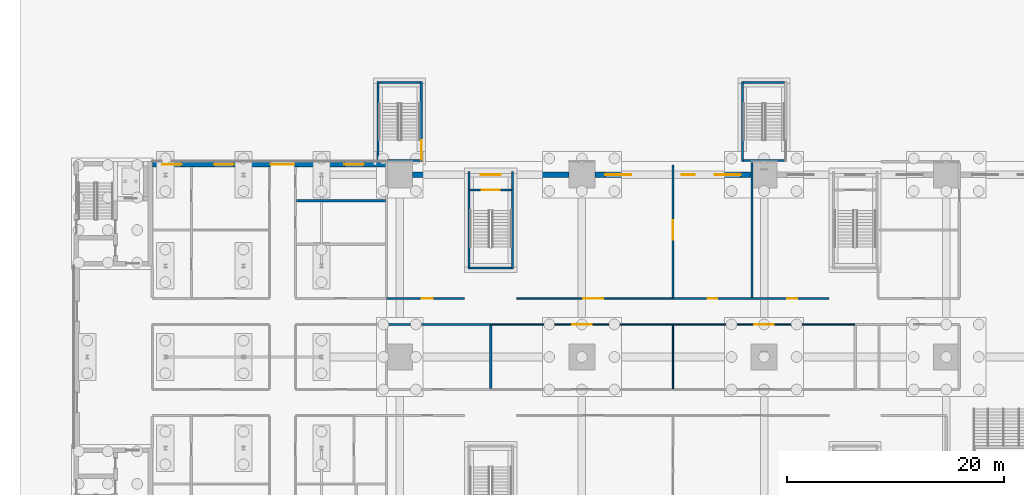
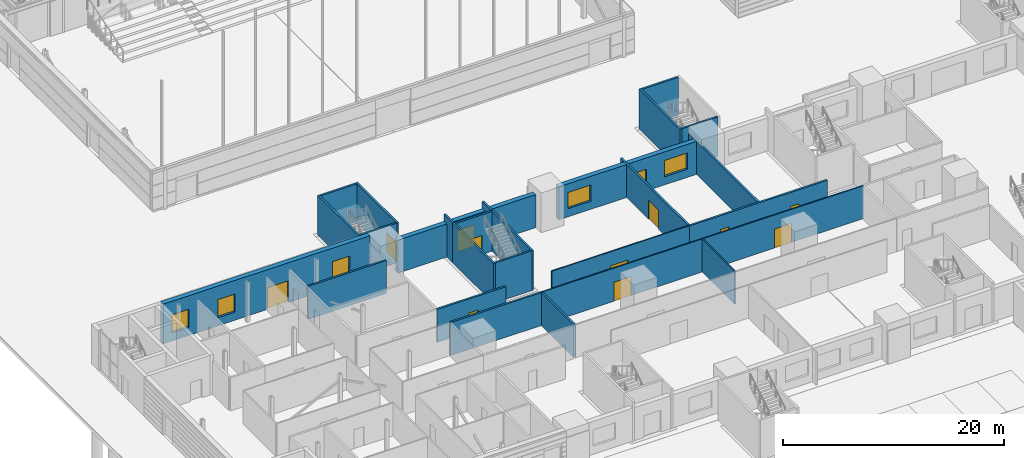
# One storey, part 80 of 139: 26 walls, 12 doors, 5 windows, 17 openings.
"""IFC4 building model written with IfcOpenShell, lengths in metres."""

from ifc_helpers import new_model, si_unit, direction, frame, frame_2d, origin, place, context, subcontext, project, spatial, rectangle, extrude, material, layer, layer_set, type_object, element, fill, save


model = new_model("IFC4")

# Units and contexts
model_context = context("Model", 3, precision=1e-05, world=origin(), true_north=direction((0.0, 1.0)))
body_context = subcontext(model_context, "Body", "Model", "MODEL_VIEW")
ifc_project = project(units=[si_unit("LENGTHUNIT", "METRE"), si_unit("AREAUNIT", "SQUARE_METRE"), si_unit("VOLUMEUNIT", "CUBIC_METRE"), si_unit("PLANEANGLEUNIT", "RADIAN"), si_unit("MASSUNIT", "GRAM", prefix="KILO")], contexts=[model_context])

# Site, building, storey
site_placement = place(None, origin())
site = spatial("IfcSite", under=ifc_project, at=site_placement, CompositionType="ELEMENT")
building_placement = place(site_placement, origin())
building = spatial("IfcBuilding", under=site, at=building_placement, Name="Verrick Yard Athletic Hall", CompositionType="ELEMENT")
storey_placement = place(building_placement, origin())
storey = spatial("IfcBuildingStorey", under=building, at=storey_placement, Name="L00", CompositionType="ELEMENT", Elevation=0.0)

# Walls
ifc_material_1 = material(Name="Concrete 35 MPa", Category="concrete")
ifc_layer_1 = layer(ifc_material_1, 0.199951171875)
ifc_layer_set_1 = layer_set([ifc_layer_1], Name="Enclosure wall CR200")
wall_type_1 = type_object("IfcWallType", Name="Enclosure wall CR200", PredefinedType="SOLIDWALL", material=ifc_layer_set_1)
for number, where, z_axis, x_axis, name in (
    (1, (46.39990234375, 44.10009765625, 0.0), (0.0, 0.0, 1.0), (0.0, 1.0, 0.0), "CORE-PS-N1-WW-L00"),
    (2, (50.39990234375, 44.10009765625, 0.0), (0.0, 0.0, 1.0), (0.0, 1.0, 0.0), "CORE-PS-N1-WE-L00"),
):
    element("IfcWall", number, at=place(storey_placement, frame(where, z_axis=z_axis, x_axis=x_axis)), inside=storey, type_object=wall_type_1, Name=name, PredefinedType="SOLIDWALL", context=body_context, shape_type="SweptSolid", body=[
        extrude(rectangle(XDim=7.39990234375, YDim=0.199951171875, at=frame_2d((3.699951171875, 0.0))), origin(), (0.0, 0.0, 1.0), 4.39990234375),
    ])
wall_1_placement = place(storey_placement, frame((46.5, 44.199951171875, 0.0), z_axis=(0.0, 0.0, 1.0), x_axis=(1.0, 0.0, 0.0)))
element("IfcWall", 3, at=wall_1_placement, inside=storey, type_object=wall_type_1, Name="CORE-PS-N1-WS-L00", PredefinedType="SOLIDWALL", context=body_context, shape_type="SweptSolid", body=[
    extrude(rectangle(XDim=3.800048828125, YDim=0.199951171875, at=frame_2d((1.89990234375, 0.0))), origin(), (0.0, 0.0, 1.0), 4.39990234375),
])

# Wall, opening, door
wall_2_placement = place(storey_placement, frame((46.5, 51.39990234375, 0.0), z_axis=(0.0, 0.0, 1.0), x_axis=(1.0, 0.0, 0.0)))
wall_2 = element("IfcWall", 4, at=wall_2_placement, inside=storey, type_object=wall_type_1, Name="CORE-PS-N1-WN-L00", PredefinedType="SOLIDWALL", context=body_context, shape_type="SweptSolid", body=[
    extrude(rectangle(XDim=3.800048828125, YDim=0.199951171875, at=frame_2d((1.89990234375, 0.0))), origin(), (0.0, 0.0, 1.0), 4.39990234375),
])
opening_1_placement = place(wall_2_placement, frame((1.050048828125, 0.0, 0.0)))
opening_1 = element("IfcOpeningElement", 5, at=opening_1_placement, cuts=wall_2, Name="Opening SD2", PredefinedType="OPENING", context=body_context, shape_type="SweptSolid", body=[
    extrude(rectangle(XDim=1.699951171875, YDim=2.10009765625, at=frame_2d((0.85009765625, 1.050048828125))), frame((0.0, 0.10986328125, 0.0), z_axis=(0.0, -1.0, 0.0), x_axis=(1.0, 0.0, 0.0)), (0.0, 0.0, 1.0), 0.219970703125),
])
ifc_material_2 = material(Name="Hollow metal door leaf")
door_type_1 = type_object("IfcDoorType", Name="Core door SD2 1700x2100", OperationType="NOTDEFINED", PredefinedType="DOOR", material=ifc_material_2)
door_1_placement = place(opening_1_placement, origin())
door_1 = element("IfcDoor", 6, at=door_1_placement, inside=storey, type_object=door_type_1, Name="CORE-PS-N1-WN-L00-DSD2-4840", OperationType="DOUBLE_DOOR_SINGLE_SWING", OverallHeight=2.10009765625, OverallWidth=1.699951171875, PredefinedType="DOOR", context=body_context, shape_type="SweptSolid", body=[
    extrude(rectangle(XDim=1.699951171875, YDim=2.10009765625, at=frame_2d((0.85009765625, 1.050048828125))), frame((0.0, 0.02490234375, 0.0), z_axis=(0.0, -1.0, 0.0), x_axis=(1.0, 0.0, 0.0)), (0.0, 0.0, 1.0), 0.050048828125),
])
fill(opening_1, door_1)

# Walls
for number, where, z_axis, x_axis, name in (
    (7, (46.39990234375, 51.5, 0.0), (0.0, 0.0, 1.0), (0.0, 1.0, 0.0), "CORE-PS-N1-VWW"),
    (8, (50.39990234375, 51.5, 0.0), (0.0, 0.0, 1.0), (0.0, 1.0, 0.0), "CORE-PS-N1-VWE"),
):
    element("IfcWall", number, at=place(storey_placement, frame(where, z_axis=z_axis, x_axis=x_axis)), inside=storey, type_object=wall_type_1, Name=name, PredefinedType="SOLIDWALL", context=body_context, shape_type="SweptSolid", body=[
        extrude(rectangle(XDim=1.60009765625, YDim=0.199951171875, at=frame_2d((0.800048828125, 0.0))), origin(), (0.0, 0.0, 1.0), 4.39990234375),
    ])
ifc_layer_2 = layer(ifc_material_1, 0.199951171875)
ifc_layer_set_2 = layer_set([ifc_layer_2], Name="External enclosure wall CR200")
wall_type_2 = type_object("IfcWallType", Name="External enclosure wall CR200", PredefinedType="SOLIDWALL", material=ifc_layer_set_2)
wall_3_placement = place(storey_placement, frame((38.0, 54.0, 0.0), z_axis=(0.0, 0.0, 1.0), x_axis=(0.0, 1.0, 0.0)))
element("IfcWall", 9, at=wall_3_placement, inside=storey, type_object=wall_type_2, Name="CORE-DT-N1-WW-L00", PredefinedType="SOLIDWALL", context=body_context, shape_type="SweptSolid", body=[
    extrude(rectangle(XDim=7.39990234375, YDim=0.199951171875, at=frame_2d((3.699951171875, 0.0))), origin(), (0.0, 0.0, 1.0), 4.39990234375),
])

# Wall, opening, door
wall_4_placement = place(storey_placement, frame((42.0, 61.39990234375, 0.0), z_axis=(0.0, 0.0, 1.0), x_axis=(0.0, -1.0, 0.0)))
wall_4 = element("IfcWall", 10, at=wall_4_placement, inside=storey, type_object=wall_type_2, Name="CORE-DT-N1-WE-L00", PredefinedType="SOLIDWALL", context=body_context, shape_type="SweptSolid", body=[
    extrude(rectangle(XDim=7.39990234375, YDim=0.199951171875, at=frame_2d((3.699951171875, 0.0))), origin(), (0.0, 0.0, 1.0), 4.39990234375),
])
opening_2_placement = place(wall_4_placement, frame((5.39990234375, 0.0, 0.0)))
opening_2 = element("IfcOpeningElement", 11, at=opening_2_placement, cuts=wall_4, Name="Opening XD2", PredefinedType="OPENING", context=body_context, shape_type="SweptSolid", body=[
    extrude(rectangle(XDim=1.800048828125, YDim=2.10009765625, at=frame_2d((0.89990234375, 1.050048828125))), frame((0.0, 0.10986328125, 0.0), z_axis=(0.0, -1.0, 0.0), x_axis=(1.0, 0.0, 0.0)), (0.0, 0.0, 1.0), 0.219970703125),
])
ifc_material_3 = material(Name="Aluminium door leaf", Category="aluminium")
door_type_2 = type_object("IfcDoorType", Name="Core door XD2 1800x2100", OperationType="NOTDEFINED", PredefinedType="DOOR", material=ifc_material_3)
door_2_placement = place(opening_2_placement, origin())
door_2 = element("IfcDoor", 12, at=door_2_placement, inside=storey, type_object=door_type_2, Name="CORE-DT-N1-WE-L00-DXD2-5510", OperationType="DOUBLE_DOOR_SINGLE_SWING", OverallHeight=2.10009765625, OverallWidth=1.800048828125, PredefinedType="DOOR", context=body_context, shape_type="SweptSolid", body=[
    extrude(rectangle(XDim=1.800048828125, YDim=2.10009765625, at=frame_2d((0.89990234375, 1.050048828125))), frame((0.0, 0.02490234375, 0.0), z_axis=(0.0, -1.0, 0.0), x_axis=(1.0, 0.0, 0.0)), (0.0, 0.0, 1.0), 0.050048828125),
])
fill(opening_2, door_2)

# Walls
for number, where, z_axis, x_axis, name in (
    (13, (38.10009765625, 54.10009765625, 0.0), (0.0, 0.0, 1.0), (1.0, 0.0, 0.0), "CORE-DT-N1-WS-L00"),
    (14, (38.10009765625, 61.300048828125, 0.0), (0.0, 0.0, 1.0), (1.0, 0.0, 0.0), "CORE-DT-N1-WN-L00"),
):
    element("IfcWall", number, at=place(storey_placement, frame(where, z_axis=z_axis, x_axis=x_axis)), inside=storey, type_object=wall_type_2, Name=name, PredefinedType="SOLIDWALL", context=body_context, shape_type="SweptSolid", body=[
        extrude(rectangle(XDim=3.7998046875, YDim=0.199951171875, at=frame_2d((1.89990234375, 0.0))), origin(), (0.0, 0.0, 1.0), 4.39990234375),
    ])
wall_5_placement = place(storey_placement, frame((71.60009765625, 54.0, 0.0), z_axis=(0.0, 0.0, 1.0), x_axis=(0.0, 1.0, 0.0)))
element("IfcWall", 15, at=wall_5_placement, inside=storey, type_object=wall_type_2, Name="CORE-DT-N3-WW-L00", PredefinedType="SOLIDWALL", context=body_context, shape_type="SweptSolid", body=[
    extrude(rectangle(XDim=7.39990234375, YDim=0.199951171875, at=frame_2d((3.699951171875, 0.0))), origin(), (0.0, 0.0, 1.0), 4.39990234375),
])
for number, where, z_axis, x_axis, name in (
    (16, (71.699951171875, 54.10009765625, 0.0), (0.0, 0.0, 1.0), (1.0, 0.0, 0.0), "CORE-DT-N3-WS-L00"),
    (17, (71.699951171875, 61.300048828125, 0.0), (0.0, 0.0, 1.0), (1.0, 0.0, 0.0), "CORE-DT-N3-WN-L00"),
):
    element("IfcWall", number, at=place(storey_placement, frame(where, z_axis=z_axis, x_axis=x_axis)), inside=storey, type_object=wall_type_2, Name=name, PredefinedType="SOLIDWALL", context=body_context, shape_type="SweptSolid", body=[
        extrude(rectangle(XDim=3.800048828125, YDim=0.199951171875, at=frame_2d((1.89990234375, 0.0))), origin(), (0.0, 0.0, 1.0), 4.39990234375),
    ])
ifc_material_4 = material(Name="Concrete masonry block 15 MPa", Category="masonry")
ifc_layer_3 = layer(ifc_material_4, 0.199951171875)
ifc_layer_set_3 = layer_set([ifc_layer_3], Name="PW1 Block partition 200")
wall_type_3 = type_object("IfcWallType", Name="PW1 Block partition 200", PredefinedType="PARTITIONING", material=ifc_layer_set_3)
wall_6_placement = place(storey_placement, frame((38.800048828125, 39.0, 0.0), z_axis=(0.0, 0.0, 1.0), x_axis=(1.0, 0.0, 0.0)))
element("IfcWall", 18, at=wall_6_placement, inside=storey, type_object=wall_type_3, Name="Partition PW1", PredefinedType="PARTITIONING", context=body_context, shape_type="SweptSolid", body=[
    extrude(rectangle(XDim=9.599853515625, YDim=0.199951171875, at=frame_2d((4.7998046875, 0.0))), origin(), (0.0, 0.0, 1.0), 3.64990234375),
])

# Wall, openings, doors
wall_7_placement = place(storey_placement, frame((65.199951171875, 41.39990234375, 0.0), z_axis=(0.0, 0.0, 1.0), x_axis=(1.0, 0.0, 0.0)))
wall_7 = element("IfcWall", 19, at=wall_7_placement, inside=storey, type_object=wall_type_3, Name="Partition PW1", PredefinedType="PARTITIONING", context=body_context, shape_type="SweptSolid", body=[
    extrude(rectangle(XDim=14.400146484375, YDim=0.199951171875, at=frame_2d((7.2001953125, 0.0))), origin(), (0.0, 0.0, 1.0), 3.64990234375),
])
opening_3_placement = place(wall_7_placement, frame((3.199951171875, 0.0, 0.0)))
opening_3 = element("IfcOpeningElement", 20, at=opening_3_placement, cuts=wall_7, Name="Opening D2", PredefinedType="OPENING", context=body_context, shape_type="SweptSolid", body=[
    extrude(rectangle(XDim=0.89990234375, YDim=2.10009765625, at=frame_2d((0.449951171875, 1.050048828125))), frame((0.0, 0.10986328125, 0.0), z_axis=(0.0, -1.0, 0.0), x_axis=(1.0, 0.0, 0.0)), (0.0, 0.0, 1.0), 0.219970703125),
])
opening_4_placement = place(wall_7_placement, frame((10.550048828125, 0.0, 0.0)))
opening_4 = element("IfcOpeningElement", 21, at=opening_4_placement, cuts=wall_7, Name="Opening D2", PredefinedType="OPENING", context=body_context, shape_type="SweptSolid", body=[
    extrude(rectangle(XDim=0.89990234375, YDim=2.10009765625, at=frame_2d((0.449951171875, 1.050048828125))), frame((0.0, 0.10986328125, 0.0), z_axis=(0.0, -1.0, 0.0), x_axis=(1.0, 0.0, 0.0)), (0.0, 0.0, 1.0), 0.219970703125),
])
ifc_material_5 = material(Name="Timber door leaf in steel frame", Category="steel")
door_type_3 = type_object("IfcDoorType", Name="D2 Single door 900 x 2100", OperationType="NOTDEFINED", PredefinedType="DOOR", material=ifc_material_5)
door_3_placement = place(opening_3_placement, origin())
door_3 = element("IfcDoor", 22, at=door_3_placement, inside=storey, type_object=door_type_3, Name="D2 Refuse Store", OperationType="SINGLE_SWING_LEFT", OverallHeight=2.10009765625, OverallWidth=0.89990234375, PredefinedType="DOOR", context=body_context, shape_type="SweptSolid", body=[
    extrude(rectangle(XDim=0.89990234375, YDim=2.10009765625, at=frame_2d((0.449951171875, 1.050048828125))), frame((0.0, 0.02490234375, 0.0), z_axis=(0.0, -1.0, 0.0), x_axis=(1.0, 0.0, 0.0)), (0.0, 0.0, 1.0), 0.050048828125),
])
fill(opening_3, door_3)
door_4_placement = place(opening_4_placement, origin())
door_4 = element("IfcDoor", 23, at=door_4_placement, inside=storey, type_object=door_type_3, Name="D2 Cleaners Store", OperationType="SINGLE_SWING_LEFT", OverallHeight=2.10009765625, OverallWidth=0.89990234375, PredefinedType="DOOR", context=body_context, shape_type="SweptSolid", body=[
    extrude(rectangle(XDim=0.89990234375, YDim=2.10009765625, at=frame_2d((0.449951171875, 1.050048828125))), frame((0.0, 0.02490234375, 0.0), z_axis=(0.0, -1.0, 0.0), x_axis=(1.0, 0.0, 0.0)), (0.0, 0.0, 1.0), 0.050048828125),
])
fill(opening_4, door_4)

# Walls
wall_8_placement = place(storey_placement, frame((30.5, 50.39990234375, 0.0), z_axis=(0.0, 0.0, 1.0), x_axis=(1.0, 0.0, 0.0)))
element("IfcWall", 24, at=wall_8_placement, inside=storey, type_object=wall_type_3, Name="Partition PW1", PredefinedType="PARTITIONING", context=body_context, shape_type="SweptSolid", body=[
    extrude(rectangle(XDim=8.199951171875, YDim=0.199951171875, at=frame_2d((4.10009765625, 0.0))), origin(), (0.0, 0.0, 1.0), 3.64990234375),
])
wall_9_placement = place(storey_placement, frame((48.39990234375, 33.10009765625, 0.0), z_axis=(0.0, 0.0, 1.0), x_axis=(0.0, 1.0, 0.0)))
element("IfcWall", 25, at=wall_9_placement, inside=storey, type_object=wall_type_3, Name="Partition PW1", PredefinedType="PARTITIONING", context=body_context, shape_type="SweptSolid", body=[
    extrude(rectangle(XDim=5.7998046875, YDim=0.199951171875, at=frame_2d((2.89990234375, 0.0))), origin(), (0.0, 0.0, 1.0), 3.64990234375),
])

# Wall, opening, door
wall_10_placement = place(storey_placement, frame((65.199951171875, 41.5, 0.0), z_axis=(0.0, 0.0, 1.0), x_axis=(0.0, 1.0, 0.0)))
wall_10 = element("IfcWall", 26, at=wall_10_placement, inside=storey, type_object=wall_type_3, Name="Partition PW1", PredefinedType="PARTITIONING", context=body_context, shape_type="SweptSolid", body=[
    extrude(rectangle(XDim=12.199951171875, YDim=0.199951171875, at=frame_2d((6.10009765625, 0.0))), origin(), (0.0, 0.0, 1.0), 3.64990234375),
])
opening_5_placement = place(wall_10_placement, frame((5.300048828125, 0.0, 0.0)))
opening_5 = element("IfcOpeningElement", 27, at=opening_5_placement, cuts=wall_10, Name="Opening D3", PredefinedType="OPENING", context=body_context, shape_type="SweptSolid", body=[
    extrude(rectangle(XDim=1.800048828125, YDim=2.10009765625, at=frame_2d((0.89990234375, 1.050048828125))), frame((0.0, 0.10986328125, 0.0), z_axis=(0.0, -1.0, 0.0), x_axis=(1.0, 0.0, 0.0)), (0.0, 0.0, 1.0), 0.219970703125),
])
door_type_4 = type_object("IfcDoorType", Name="D3 Double door 1800 x 2100", OperationType="NOTDEFINED", PredefinedType="DOOR", material=ifc_material_5)
door_5_placement = place(opening_5_placement, origin())
door_5 = element("IfcDoor", 28, at=door_5_placement, inside=storey, type_object=door_type_4, Name="D3 Community Room 3", OperationType="DOUBLE_DOOR_SINGLE_SWING", OverallHeight=2.10009765625, OverallWidth=1.800048828125, PredefinedType="DOOR", context=body_context, shape_type="SweptSolid", body=[
    extrude(rectangle(XDim=1.800048828125, YDim=2.10009765625, at=frame_2d((0.89990234375, 1.050048828125))), frame((0.0, 0.02490234375, 0.0), z_axis=(0.0, -1.0, 0.0), x_axis=(1.0, 0.0, 0.0)), (0.0, 0.0, 1.0), 0.050048828125),
])
fill(opening_5, door_5)

# Wall
wall_11_placement = place(storey_placement, frame((72.5, 41.5, 0.0), z_axis=(0.0, 0.0, 1.0), x_axis=(0.0, 1.0, 0.0)))
element("IfcWall", 29, at=wall_11_placement, inside=storey, type_object=wall_type_3, Name="Partition PW1", PredefinedType="PARTITIONING", context=body_context, shape_type="SweptSolid", body=[
    extrude(rectangle(XDim=12.449951171875, YDim=0.199951171875, at=frame_2d((6.22509765625, 0.0))), origin(), (0.0, 0.0, 1.0), 3.64990234375),
])

# Wall, openings, doors
ifc_material_6 = material(Name="Gypsum plasterboard on light-gauge studs")
ifc_layer_4 = layer(ifc_material_6, 0.125)
ifc_layer_set_4 = layer_set([ifc_layer_4], Name="PW2 Stud partition 125")
wall_type_4 = type_object("IfcWallType", Name="PW2 Stud partition 125", PredefinedType="PARTITIONING", material=ifc_layer_set_4)
wall_12_placement = place(storey_placement, frame((48.39990234375, 39.0, 0.0), z_axis=(0.0, 0.0, 1.0), x_axis=(1.0, 0.0, 0.0)))
wall_12 = element("IfcWall", 30, at=wall_12_placement, inside=storey, type_object=wall_type_4, Name="Partition PW2", PredefinedType="PARTITIONING", context=body_context, shape_type="SweptSolid", body=[
    extrude(rectangle(XDim=33.60009765625, YDim=0.125, at=frame_2d((16.800048828125, 0.0))), origin(), (0.0, 0.0, 1.0), 3.64990234375),
])
opening_6_placement = place(wall_12_placement, frame((7.5, 0.0, 0.0)))
opening_6 = element("IfcOpeningElement", 31, at=opening_6_placement, cuts=wall_12, Name="Opening D3", PredefinedType="OPENING", context=body_context, shape_type="SweptSolid", body=[
    extrude(rectangle(XDim=1.800048828125, YDim=2.10009765625, at=frame_2d((0.89990234375, 1.050048828125))), frame((0.0, 0.072509765625, 0.0), z_axis=(0.0, -1.0, 0.0), x_axis=(1.0, 0.0, 0.0)), (0.0, 0.0, 1.0), 0.14501953125),
])
opening_7_placement = place(wall_12_placement, frame((24.300048828125, 0.0, 0.0)))
opening_7 = element("IfcOpeningElement", 32, at=opening_7_placement, cuts=wall_12, Name="Opening D3", PredefinedType="OPENING", context=body_context, shape_type="SweptSolid", body=[
    extrude(rectangle(XDim=1.800048828125, YDim=2.10009765625, at=frame_2d((0.89990234375, 1.050048828125))), frame((0.0, 0.072509765625, 0.0), z_axis=(0.0, -1.0, 0.0), x_axis=(1.0, 0.0, 0.0)), (0.0, 0.0, 1.0), 0.14501953125),
])
door_6_placement = place(opening_6_placement, origin())
door_6 = element("IfcDoor", 33, at=door_6_placement, inside=storey, type_object=door_type_4, Name="D3 Club Administration", OperationType="DOUBLE_DOOR_SINGLE_SWING", OverallHeight=2.10009765625, OverallWidth=1.800048828125, PredefinedType="DOOR", context=body_context, shape_type="SweptSolid", body=[
    extrude(rectangle(XDim=1.800048828125, YDim=2.10009765625, at=frame_2d((0.89990234375, 1.050048828125))), frame((0.0, 0.02490234375, 0.0), z_axis=(0.0, -1.0, 0.0), x_axis=(1.0, 0.0, 0.0)), (0.0, 0.0, 1.0), 0.050048828125),
])
fill(opening_6, door_6)
door_7_placement = place(opening_7_placement, origin())
door_7 = element("IfcDoor", 34, at=door_7_placement, inside=storey, type_object=door_type_4, Name="D3 Community Meeting Room", OperationType="DOUBLE_DOOR_SINGLE_SWING", OverallHeight=2.10009765625, OverallWidth=1.800048828125, PredefinedType="DOOR", context=body_context, shape_type="SweptSolid", body=[
    extrude(rectangle(XDim=1.800048828125, YDim=2.10009765625, at=frame_2d((0.89990234375, 1.050048828125))), frame((0.0, 0.02490234375, 0.0), z_axis=(0.0, -1.0, 0.0), x_axis=(1.0, 0.0, 0.0)), (0.0, 0.0, 1.0), 0.050048828125),
])
fill(opening_7, door_7)

# Wall, opening, door
wall_13_placement = place(storey_placement, frame((50.800048828125, 41.39990234375, 0.0), z_axis=(0.0, 0.0, 1.0), x_axis=(1.0, 0.0, 0.0)))
wall_13 = element("IfcWall", 35, at=wall_13_placement, inside=storey, type_object=wall_type_4, Name="Partition PW2", PredefinedType="PARTITIONING", context=body_context, shape_type="SweptSolid", body=[
    extrude(rectangle(XDim=14.39990234375, YDim=0.125, at=frame_2d((7.199951171875, 0.0))), origin(), (0.0, 0.0, 1.0), 3.64990234375),
])
opening_8_placement = place(wall_13_placement, frame((6.14990234375, 0.0, 0.0)))
opening_8 = element("IfcOpeningElement", 36, at=opening_8_placement, cuts=wall_13, Name="Opening D3", PredefinedType="OPENING", context=body_context, shape_type="SweptSolid", body=[
    extrude(rectangle(XDim=1.800048828125, YDim=2.10009765625, at=frame_2d((0.89990234375, 1.050048828125))), frame((0.0, 0.072509765625, 0.0), z_axis=(0.0, -1.0, 0.0), x_axis=(1.0, 0.0, 0.0)), (0.0, 0.0, 1.0), 0.14501953125),
])
door_8_placement = place(opening_8_placement, origin())
door_8 = element("IfcDoor", 37, at=door_8_placement, inside=storey, type_object=door_type_4, Name="D3 Community Room 3", OperationType="DOUBLE_DOOR_SINGLE_SWING", OverallHeight=2.10009765625, OverallWidth=1.800048828125, PredefinedType="DOOR", context=body_context, shape_type="SweptSolid", body=[
    extrude(rectangle(XDim=1.800048828125, YDim=2.10009765625, at=frame_2d((0.89990234375, 1.050048828125))), frame((0.0, 0.02490234375, 0.0), z_axis=(0.0, -1.0, 0.0), x_axis=(1.0, 0.0, 0.0)), (0.0, 0.0, 1.0), 0.050048828125),
])
fill(opening_8, door_8)

# Wall
wall_14_placement = place(storey_placement, frame((65.199951171875, 33.0625, 0.0), z_axis=(0.0, 0.0, 1.0), x_axis=(0.0, 1.0, 0.0)))
element("IfcWall", 38, at=wall_14_placement, inside=storey, type_object=wall_type_4, Name="Partition PW2", PredefinedType="PARTITIONING", context=body_context, shape_type="SweptSolid", body=[
    extrude(rectangle(XDim=5.875, YDim=0.125, at=frame_2d((2.9375, 0.0))), origin(), (0.0, 0.0, 1.0), 3.64990234375),
])

# Wall, opening, door
ifc_layer_5 = layer(ifc_material_4, 0.199951171875)
ifc_layer_set_5 = layer_set([ifc_layer_5], Name="PW3 Fire-rated block partition 200")
wall_type_5 = type_object("IfcWallType", Name="PW3 Fire-rated block partition 200", PredefinedType="PARTITIONING", material=ifc_layer_set_5)
wall_15_placement = place(storey_placement, frame((38.800048828125, 41.39990234375, 0.0), z_axis=(0.0, 0.0, 1.0), x_axis=(1.0, 0.0, 0.0)))
wall_15 = element("IfcWall", 39, at=wall_15_placement, inside=storey, type_object=wall_type_5, Name="Partition PW3", PredefinedType="PARTITIONING", context=body_context, shape_type="SweptSolid", body=[
    extrude(rectangle(XDim=7.199951171875, YDim=0.199951171875, at=frame_2d((3.60009765625, 0.0))), origin(), (0.0, 0.0, 1.0), 3.64990234375),
])
opening_9_placement = place(wall_15_placement, frame((3.25, 0.0, 0.0)))
opening_9 = element("IfcOpeningElement", 40, at=opening_9_placement, cuts=wall_15, Name="Opening D5", PredefinedType="OPENING", context=body_context, shape_type="SweptSolid", body=[
    extrude(rectangle(XDim=1.0, YDim=2.10009765625, at=frame_2d((0.5, 1.050048828125))), frame((0.0, 0.10986328125, 0.0), z_axis=(0.0, -1.0, 0.0), x_axis=(1.0, 0.0, 0.0)), (0.0, 0.0, 1.0), 0.219970703125),
])
ifc_material_7 = material(Name="Fire-rated timber door leaf in steel frame", Category="steel")
door_type_5 = type_object("IfcDoorType", Name="D5 Fire door 1000 x 2100", OperationType="NOTDEFINED", PredefinedType="DOOR", material=ifc_material_7)
door_9_placement = place(opening_9_placement, origin())
door_9 = element("IfcDoor", 41, at=door_9_placement, inside=storey, type_object=door_type_5, Name="D5 Plant Room 1", OperationType="SINGLE_SWING_LEFT", OverallHeight=2.10009765625, OverallWidth=1.0, PredefinedType="DOOR", context=body_context, shape_type="SweptSolid", body=[
    extrude(rectangle(XDim=1.0, YDim=2.10009765625, at=frame_2d((0.5, 1.050048828125))), frame((0.0, 0.02490234375, 0.0), z_axis=(0.0, -1.0, 0.0), x_axis=(1.0, 0.0, 0.0)), (0.0, 0.0, 1.0), 0.050048828125),
])
fill(opening_9, door_9)

ifc_material_8 = material(Name="Rusticated limestone cladding", Category="masonry")
ifc_layer_6 = layer(ifc_material_8, 0.10009765625, Name="Rusticated limestone cladding")
ifc_material_9 = material(Name="Mineral wool insulation")
ifc_layer_7 = layer(ifc_material_9, 0.10009765625, Name="Mineral wool insulation")
ifc_layer_8 = layer(ifc_material_1, 0.300048828125, Name="Concrete 35 MPa")
ifc_layer_set_6 = layer_set([ifc_layer_6, ifc_layer_7, ifc_layer_8], Name="Rusticated base wall 500")
wall_type_6 = type_object("IfcWallType", Name="Rusticated base wall 500", PredefinedType="SOLIDWALL", material=ifc_layer_set_6)
wall_16_placement = place(storey_placement, frame((41.199951171875, 52.800048828125, 0.0), z_axis=(0.0, 0.0, 1.0), x_axis=(1.0, 0.0, 0.0)))
wall_16 = element("IfcWall", 42, at=wall_16_placement, inside=storey, type_object=wall_type_6, Name="Base wall N1", PredefinedType="SOLIDWALL", context=body_context, shape_type="SweptSolid", body=[
    extrude(rectangle(XDim=14.400146484375, YDim=0.5, at=frame_2d((7.2001953125, 0.0))), origin(), (0.0, 0.0, 1.0), 3.64990234375),
])
opening_10_placement = place(wall_16_placement, frame((6.300048828125, 0.0, 0.0)))
opening_10 = element("IfcOpeningElement", 43, at=opening_10_placement, cuts=wall_16, Name="Opening ED5", PredefinedType="OPENING", context=body_context, shape_type="SweptSolid", body=[
    extrude(rectangle(XDim=1.800048828125, YDim=2.39990234375, at=frame_2d((0.89990234375, 1.199951171875))), frame((0.0, 0.260009765625, 0.0), z_axis=(0.0, -1.0, 0.0), x_axis=(1.0, 0.0, 0.0)), (0.0, 0.0, 1.0), 0.52001953125),
])
ifc_material_10 = material(Name="Insulated steel door", Category="steel")
door_type_6 = type_object("IfcDoorType", Name="Exit door pair 1800 x 2400", OperationType="NOTDEFINED", PredefinedType="DOOR", material=ifc_material_10)
door_10_placement = place(opening_10_placement, origin())
door_10 = element("IfcDoor", 44, at=door_10_placement, inside=storey, type_object=door_type_6, Name="Exterior door E14", OperationType="DOUBLE_DOOR_SINGLE_SWING", OverallHeight=2.39990234375, OverallWidth=1.800048828125, PredefinedType="DOOR", context=body_context, shape_type="SweptSolid", body=[
    extrude(rectangle(XDim=1.800048828125, YDim=2.39990234375, at=frame_2d((0.89990234375, 1.199951171875))), frame((0.0, 0.02490234375, 0.0), z_axis=(0.0, -1.0, 0.0), x_axis=(1.0, 0.0, 0.0)), (0.0, 0.0, 1.0), 0.050048828125),
])
fill(opening_10, door_10)

# Wall, openings, door, windows
wall_17_placement = place(storey_placement, frame((58.0, 52.800048828125, 0.0), z_axis=(0.0, 0.0, 1.0), x_axis=(1.0, 0.0, 0.0)))
wall_17 = element("IfcWall", 45, at=wall_17_placement, inside=storey, type_object=wall_type_6, Name="Base wall N2", PredefinedType="SOLIDWALL", context=body_context, shape_type="SweptSolid", body=[
    extrude(rectangle(XDim=14.39990234375, YDim=0.5, at=frame_2d((7.199951171875, 0.0))), origin(), (0.0, 0.0, 1.0), 3.64990234375),
])
opening_11_placement = place(wall_17_placement, frame((0.9599609375, 0.0, 0.89990234375)))
opening_11 = element("IfcOpeningElement", 46, at=opening_11_placement, cuts=wall_17, Name="Opening W1", PredefinedType="OPENING", context=body_context, shape_type="SweptSolid", body=[
    extrude(rectangle(XDim=2.39990234375, YDim=1.800048828125, at=frame_2d((1.199951171875, 0.89990234375))), frame((0.0, 0.260009765625, 0.0), z_axis=(0.0, -1.0, 0.0), x_axis=(1.0, 0.0, 0.0)), (0.0, 0.0, 1.0), 0.52001953125),
])
opening_12_placement = place(wall_17_placement, frame((11.0400390625, 0.0, 0.89990234375)))
opening_12 = element("IfcOpeningElement", 47, at=opening_12_placement, cuts=wall_17, Name="Opening W1", PredefinedType="OPENING", context=body_context, shape_type="SweptSolid", body=[
    extrude(rectangle(XDim=2.39990234375, YDim=1.800048828125, at=frame_2d((1.199951171875, 0.89990234375))), frame((0.0, 0.260009765625, 0.0), z_axis=(0.0, -1.0, 0.0), x_axis=(1.0, 0.0, 0.0)), (0.0, 0.0, 1.0), 0.52001953125),
])
opening_13_placement = place(wall_17_placement, frame((8.0, 0.0, 0.0)))
opening_13 = element("IfcOpeningElement", 48, at=opening_13_placement, cuts=wall_17, Name="Opening ED3", PredefinedType="OPENING", context=body_context, shape_type="SweptSolid", body=[
    extrude(rectangle(XDim=1.199951171875, YDim=2.39990234375, at=frame_2d((0.60009765625, 1.199951171875))), frame((0.0, 0.260009765625, 0.0), z_axis=(0.0, -1.0, 0.0), x_axis=(1.0, 0.0, 0.0)), (0.0, 0.0, 1.0), 0.52001953125),
])
door_type_7 = type_object("IfcDoorType", Name="Service door 1200 x 2400", OperationType="NOTDEFINED", PredefinedType="DOOR", material=ifc_material_10)
door_11_placement = place(opening_13_placement, origin())
door_11 = element("IfcDoor", 49, at=door_11_placement, inside=storey, type_object=door_type_7, Name="Exterior door E8", OperationType="SINGLE_SWING_LEFT", OverallHeight=2.39990234375, OverallWidth=1.199951171875, PredefinedType="DOOR", context=body_context, shape_type="SweptSolid", body=[
    extrude(rectangle(XDim=1.199951171875, YDim=2.39990234375, at=frame_2d((0.60009765625, 1.199951171875))), frame((0.0, 0.02490234375, 0.0), z_axis=(0.0, -1.0, 0.0), x_axis=(1.0, 0.0, 0.0)), (0.0, 0.0, 1.0), 0.050048828125),
])
fill(opening_13, door_11)
ifc_material_11 = material(Name="Aluminium frame with double glazing", Category="aluminium")
window_type_1 = type_object("IfcWindowType", Name="Window 2400 x 1800", PartitioningType="NOTDEFINED", PredefinedType="WINDOW", material=ifc_material_11)
window_1_placement = place(opening_11_placement, origin())
window_1 = element("IfcWindow", 50, at=window_1_placement, inside=storey, type_object=window_type_1, Name="Window N2.1", OverallHeight=1.800048828125, OverallWidth=2.39990234375, PartitioningType="SINGLE_PANEL", PredefinedType="WINDOW", context=body_context, shape_type="SweptSolid", body=[
    extrude(rectangle(XDim=2.39990234375, YDim=1.800048828125, at=frame_2d((1.199951171875, 0.89990234375))), frame((0.0, 0.030029296875, 0.0), z_axis=(0.0, -1.0, 0.0), x_axis=(1.0, 0.0, 0.0)), (0.0, 0.0, 1.0), 0.06005859375),
])
fill(opening_11, window_1)
window_2_placement = place(opening_12_placement, origin())
window_2 = element("IfcWindow", 51, at=window_2_placement, inside=storey, type_object=window_type_1, Name="Window N2.2", OverallHeight=1.800048828125, OverallWidth=2.39990234375, PartitioningType="SINGLE_PANEL", PredefinedType="WINDOW", context=body_context, shape_type="SweptSolid", body=[
    extrude(rectangle(XDim=2.39990234375, YDim=1.800048828125, at=frame_2d((1.199951171875, 0.89990234375))), frame((0.0, 0.030029296875, 0.0), z_axis=(0.0, -1.0, 0.0), x_axis=(1.0, 0.0, 0.0)), (0.0, 0.0, 1.0), 0.06005859375),
])
fill(opening_12, window_2)

ifc_material_12 = material(Name="Tyndall-stone-look precast cladding", Category="masonry")
ifc_layer_9 = layer(ifc_material_12, 0.125, Name="Tyndall-stone-look precast cladding")
ifc_layer_10 = layer(ifc_material_9, 0.125, Name="Mineral wool insulation")
ifc_layer_11 = layer(ifc_material_1, 0.25, Name="Concrete 35 MPa")
ifc_layer_set_7 = layer_set([ifc_layer_9, ifc_layer_10, ifc_layer_11], Name="Wing base wall")
wall_type_7 = type_object("IfcWallType", Name="Wing base wall", PredefinedType="SOLIDWALL", material=ifc_layer_set_7)
wall_18_placement = place(storey_placement, frame((17.199951171875, 53.75, 0.0), z_axis=(0.0, 0.0, 1.0), x_axis=(1.0, 0.0, 0.0)))
wall_18 = element("IfcWall", 52, at=wall_18_placement, inside=storey, type_object=wall_type_7, Name="ENVB-WN-L00-1", PredefinedType="SOLIDWALL", context=body_context, shape_type="SweptSolid", body=[
    extrude(rectangle(XDim=21.60009765625, YDim=0.5, at=frame_2d((10.800048828125, 0.0))), origin(), (0.0, 0.0, 1.0), 4.39990234375),
])
opening_14_placement = place(wall_18_placement, frame((0.89990234375, 0.0, 0.89990234375)))
opening_14 = element("IfcOpeningElement", 53, at=opening_14_placement, cuts=wall_18, Name="Opening W21", PredefinedType="OPENING", context=body_context, shape_type="SweptSolid", body=[
    extrude(rectangle(XDim=1.800048828125, YDim=2.0, at=frame_2d((0.89990234375, 1.0))), frame((0.0, 0.260009765625, 0.0), z_axis=(0.0, -1.0, 0.0), x_axis=(1.0, 0.0, 0.0)), (0.0, 0.0, 1.0), 0.52001953125),
])
opening_15_placement = place(wall_18_placement, frame((5.699951171875, 0.0, 0.89990234375)))
opening_15 = element("IfcOpeningElement", 54, at=opening_15_placement, cuts=wall_18, Name="Opening W21", PredefinedType="OPENING", context=body_context, shape_type="SweptSolid", body=[
    extrude(rectangle(XDim=1.800048828125, YDim=2.0, at=frame_2d((0.89990234375, 1.0))), frame((0.0, 0.260009765625, 0.0), z_axis=(0.0, -1.0, 0.0), x_axis=(1.0, 0.0, 0.0)), (0.0, 0.0, 1.0), 0.52001953125),
])
opening_16_placement = place(wall_18_placement, frame((17.699951171875, 0.0, 0.89990234375)))
opening_16 = element("IfcOpeningElement", 55, at=opening_16_placement, cuts=wall_18, Name="Opening W21", PredefinedType="OPENING", context=body_context, shape_type="SweptSolid", body=[
    extrude(rectangle(XDim=1.800048828125, YDim=2.0, at=frame_2d((0.89990234375, 1.0))), frame((0.0, 0.260009765625, 0.0), z_axis=(0.0, -1.0, 0.0), x_axis=(1.0, 0.0, 0.0)), (0.0, 0.0, 1.0), 0.52001953125),
])
opening_17_placement = place(wall_18_placement, frame((10.89990234375, 0.0, 0.0)))
opening_17 = element("IfcOpeningElement", 56, at=opening_17_placement, cuts=wall_18, Name="Opening ED23", PredefinedType="OPENING", context=body_context, shape_type="SweptSolid", body=[
    extrude(rectangle(XDim=2.199951171875, YDim=2.39990234375, at=frame_2d((1.10009765625, 1.199951171875))), frame((0.0, 0.260009765625, 0.0), z_axis=(0.0, -1.0, 0.0), x_axis=(1.0, 0.0, 0.0)), (0.0, 0.0, 1.0), 0.52001953125),
])
ifc_material_13 = material(Name="Powder-coated aluminium door leaf", Category="aluminium")
door_type_8 = type_object("IfcDoorType", Name="Exterior double door 2200", OperationType="NOTDEFINED", PredefinedType="DOOR", material=ifc_material_13)
door_12_placement = place(opening_17_placement, origin())
door_12 = element("IfcDoor", 57, at=door_12_placement, inside=storey, type_object=door_type_8, Name="Wing exit door north", OperationType="DOUBLE_DOOR_SINGLE_SWING", OverallHeight=2.39990234375, OverallWidth=2.199951171875, PredefinedType="DOOR", context=body_context, shape_type="SweptSolid", body=[
    extrude(rectangle(XDim=2.199951171875, YDim=2.39990234375, at=frame_2d((1.10009765625, 1.199951171875))), frame((0.0, 0.02490234375, 0.0), z_axis=(0.0, -1.0, 0.0), x_axis=(1.0, 0.0, 0.0)), (0.0, 0.0, 1.0), 0.050048828125),
])
fill(opening_17, door_12)
ifc_material_14 = material(Name="Anodised aluminium frame with insulated glazing", Category="aluminium")
window_type_2 = type_object("IfcWindowType", Name="Wing window 1800x2000", PartitioningType="NOTDEFINED", PredefinedType="WINDOW", material=ifc_material_14)
window_3_placement = place(opening_14_placement, origin())
window_3 = element("IfcWindow", 58, at=window_3_placement, inside=storey, type_object=window_type_2, Name="ENVB-WN-L00-1-W190", OverallHeight=2.0, OverallWidth=1.800048828125, PartitioningType="SINGLE_PANEL", PredefinedType="WINDOW", context=body_context, shape_type="SweptSolid", body=[
    extrude(rectangle(XDim=1.800048828125, YDim=2.0, at=frame_2d((0.89990234375, 1.0))), frame((0.0, 0.030029296875, 0.0), z_axis=(0.0, -1.0, 0.0), x_axis=(1.0, 0.0, 0.0)), (0.0, 0.0, 1.0), 0.06005859375),
])
fill(opening_14, window_3)
window_4_placement = place(opening_15_placement, origin())
window_4 = element("IfcWindow", 59, at=window_4_placement, inside=storey, type_object=window_type_2, Name="ENVB-WN-L00-1-W238", OverallHeight=2.0, OverallWidth=1.800048828125, PartitioningType="SINGLE_PANEL", PredefinedType="WINDOW", context=body_context, shape_type="SweptSolid", body=[
    extrude(rectangle(XDim=1.800048828125, YDim=2.0, at=frame_2d((0.89990234375, 1.0))), frame((0.0, 0.030029296875, 0.0), z_axis=(0.0, -1.0, 0.0), x_axis=(1.0, 0.0, 0.0)), (0.0, 0.0, 1.0), 0.06005859375),
])
fill(opening_15, window_4)
window_5_placement = place(opening_16_placement, origin())
window_5 = element("IfcWindow", 60, at=window_5_placement, inside=storey, type_object=window_type_2, Name="ENVB-WN-L00-1-W358", OverallHeight=2.0, OverallWidth=1.800048828125, PartitioningType="SINGLE_PANEL", PredefinedType="WINDOW", context=body_context, shape_type="SweptSolid", body=[
    extrude(rectangle(XDim=1.800048828125, YDim=2.0, at=frame_2d((0.89990234375, 1.0))), frame((0.0, 0.030029296875, 0.0), z_axis=(0.0, -1.0, 0.0), x_axis=(1.0, 0.0, 0.0)), (0.0, 0.0, 1.0), 0.06005859375),
])
fill(opening_16, window_5)

save(model, "model.ifc")
